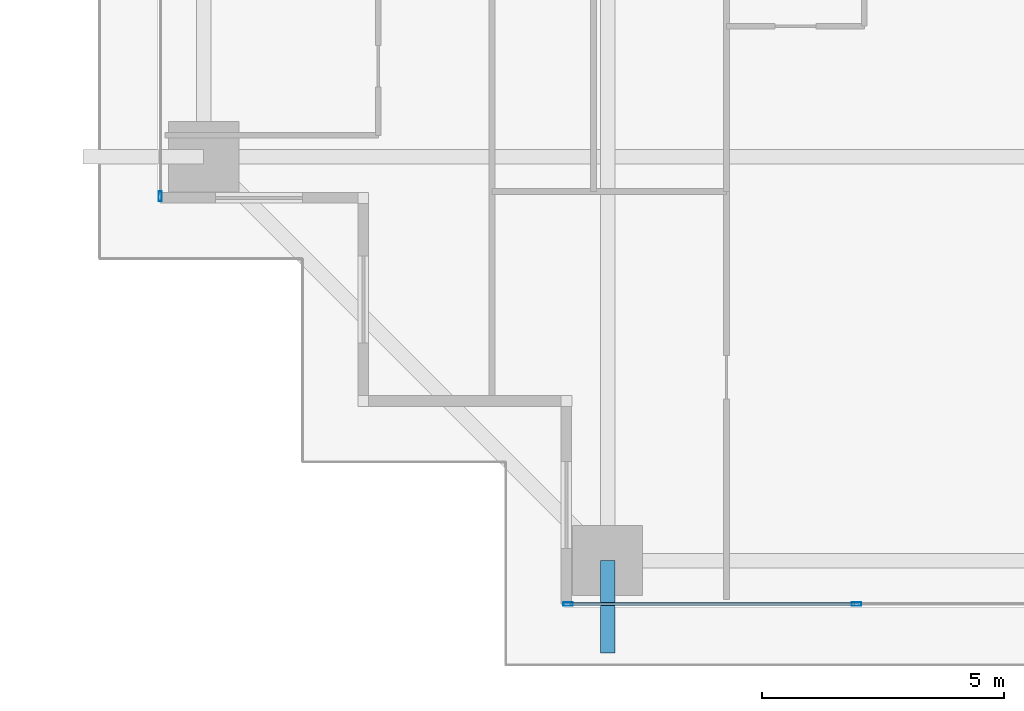
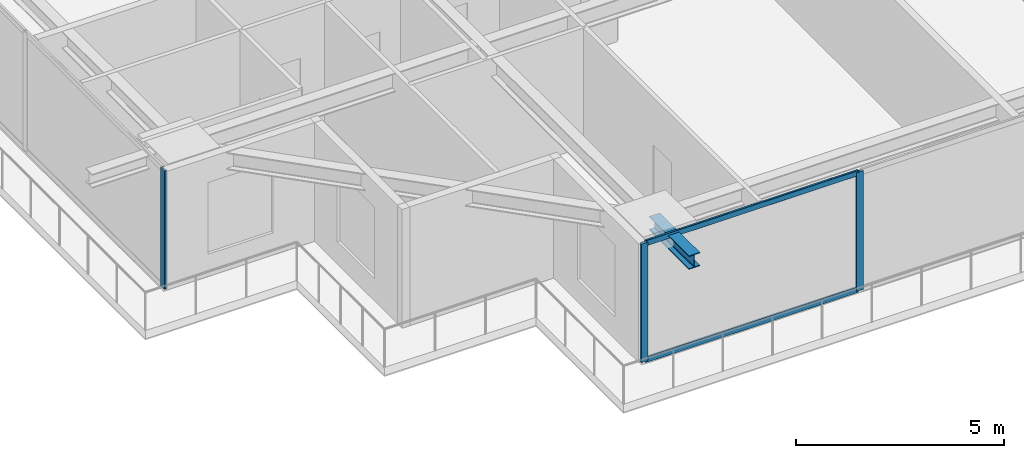
# One storey, part 2 of 38: 5 members, 1 beam, 2 elements without a shape of their own.
"""IFC4 building model written with IfcOpenShell, lengths in metres."""

from ifc_helpers import new_model, si_unit, direction, frame, origin, origin_2d, place, context, subcontext, project, spatial, hollow_rectangle, i_section, extrude, source, transform, mapped, material, layer, layer_set, material_profile, profile_set, type_object, element, aggregate, save


model = new_model("IFC4")

# Units and contexts
model_context = context("Model", 3, precision=1e-05, world=origin(), true_north=direction((0.0, 1.0)))
body_context = subcontext(model_context, "Body", "Model", "MODEL_VIEW")
ifc_project = project(units=[si_unit("LENGTHUNIT", "METRE"), si_unit("AREAUNIT", "SQUARE_METRE"), si_unit("VOLUMEUNIT", "CUBIC_METRE"), si_unit("PLANEANGLEUNIT", "RADIAN"), si_unit("MASSUNIT", "GRAM", prefix="KILO")], contexts=[model_context])

# Site, building, storey
site_placement = place(None, origin())
site = spatial("IfcSite", under=ifc_project, at=site_placement, CompositionType="ELEMENT")
building_placement = place(site_placement, origin())
building = spatial("IfcBuilding", under=site, at=building_placement, Name="Serunith Strait Residences", CompositionType="ELEMENT")
storey_placement = place(building_placement, frame((0.0, 0.0, 67.949951171875)))
storey = spatial("IfcBuildingStorey", under=building, at=storey_placement, Name="L16", CompositionType="ELEMENT", Elevation=67.949951171875)

# Beam
ifc_material_1 = material(Name="Steel S355J2", Category="steel")
ifc_material_profile_1 = material_profile(ifc_material_1, i_section(OverallWidth=0.300048828125, OverallDepth=0.39990234375, WebThickness=0.013427734375, FlangeThickness=0.02392578125, FilletRadius=0.027099609375, at=origin_2d()), Name="HEB 400")
ifc_profile_set_1 = profile_set([ifc_material_profile_1], Name="Steel S355J2")
beam_type = type_object("IfcBeamType", Name="BM-HEB400", PredefinedType="BEAM", material=ifc_profile_set_1)
shared_shape_1 = source(origin(), body_context, "Body", "SweptSolid", [
    extrude(i_section(OverallWidth=0.300048828125, OverallDepth=0.39990234375, WebThickness=0.013427734375, FlangeThickness=0.02392578125, FilletRadius=0.027099609375, at=origin_2d()), origin(), (0.0, 0.0, 1.0), 1.91015625),
])
beam_placement = place(storey_placement, frame((15.25, 1.10009765625, 3.257080078125), z_axis=(0.0, -1.0, 0.0), x_axis=(1.0, 0.0, 0.0)))
element("IfcBeam", 1, at=beam_placement, inside=storey, type_object=beam_type, Name="L17 Cantilevered Balcony Rib TC-S1", PredefinedType="BEAM", context=body_context, shape_type="MappedRepresentation", body=[
    mapped(shared_shape_1, transform((0.0, 0.0, 0.0), scale=1.0)),
])

# Curtain wall, members
ifc_material_2 = material(Name="Pale-Champagne Anodised Aluminium", Category="aluminium")
ifc_layer = layer(ifc_material_2, 0.199951171875, Name="Pale-Champagne Anodised Aluminium")
ifc_layer_set = layer_set([ifc_layer], Name="Pale-Champagne Anodised Aluminium")
curtain_wall_type = type_object("IfcCurtainWallType", Name="CW-SYS1", PredefinedType="NOTDEFINED", material=ifc_layer_set)
curtain_wall_1_placement = place(storey_placement, origin())
curtain_wall_1 = element("IfcCurtainWall", 2, at=curtain_wall_1_placement, inside=storey, type_object=curtain_wall_type, Name="L16 S Unitised Fritted Curtain Wall", PredefinedType="NOTDEFINED")
ifc_material_profile_2 = material_profile(ifc_material_2, hollow_rectangle(XDim=0.070068359375, YDim=0.199951171875, WallThickness=0.00390625, InnerFilletRadius=0.006103515625, OuterFilletRadius=0.010009765625, at=origin_2d()), Name="ALU 200x70x4")
ifc_profile_set_2 = profile_set([ifc_material_profile_2], Name="Pale-Champagne Anodised Aluminium")
member_type_1 = type_object("IfcMemberType", Name="CW-SYS1-MULL", PredefinedType="MULLION", material=ifc_profile_set_2)
shared_shape_2 = source(origin(), body_context, "Body", "SweptSolid", [
    extrude(hollow_rectangle(XDim=0.070068359375, YDim=0.199951171875, WallThickness=0.00390625, InnerFilletRadius=0.006103515625, OuterFilletRadius=0.010009765625, at=origin_2d()), origin(), (0.0, 0.0, 1.0), 3.47509765625),
])
member_1_placement = place(storey_placement, frame((14.43505859375, 0.199951171875, 0.0), z_axis=(0.0, 0.0, 1.0), x_axis=(0.0, 1.0, 0.0)))
member_1 = element("IfcMember", 3, at=member_1_placement, type_object=member_type_1, Name="CW-1 mullion 1", PredefinedType="MULLION", context=body_context, shape_type="MappedRepresentation", body=[
    mapped(shared_shape_2, transform((0.0, 0.0, 0.0), scale=1.0)),
])
member_2_placement = place(storey_placement, frame((20.39990234375, 0.199951171875, 0.0), z_axis=(0.0, 0.0, 1.0), x_axis=(0.0, 1.0, 0.0)))
member_2 = element("IfcMember", 4, at=member_2_placement, type_object=member_type_1, Name="CW-1 mullion 2", PredefinedType="MULLION", context=body_context, shape_type="MappedRepresentation", body=[
    mapped(shared_shape_2, transform((0.0, 0.0, 0.0), scale=1.0)),
])

# Curtain wall, member
curtain_wall_2_placement = place(storey_placement, origin())
curtain_wall_2 = element("IfcCurtainWall", 5, at=curtain_wall_2_placement, inside=storey, type_object=curtain_wall_type, Name="L16 W Unitised Fritted Curtain Wall", PredefinedType="NOTDEFINED")
member_3_placement = place(storey_placement, frame((6.0, 8.635009765625, 0.0), z_axis=(0.0, 0.0, 1.0), x_axis=(1.0, 0.0, 0.0)))
member_3 = element("IfcMember", 6, at=member_3_placement, type_object=member_type_1, Name="CW-1 mullion 6", PredefinedType="MULLION", context=body_context, shape_type="MappedRepresentation", body=[
    mapped(shared_shape_2, transform((0.0, 0.0, 0.0), scale=1.0)),
])
aggregate(curtain_wall_2, [member_3])

# Member
ifc_material_profile_3 = material_profile(ifc_material_2, hollow_rectangle(XDim=0.06005859375, YDim=0.159912109375, WallThickness=0.00341796875, InnerFilletRadius=0.00537109375, OuterFilletRadius=0.0087890625, at=origin_2d()), Name="ALU 160x60x3.5")
ifc_profile_set_3 = profile_set([ifc_material_profile_3], Name="Pale-Champagne Anodised Aluminium")
member_type_2 = type_object("IfcMemberType", Name="CW-SYS1-TRAN", PredefinedType="USERDEFINED", material=ifc_profile_set_3)
shared_shape_3 = source(origin(), body_context, "Body", "SweptSolid", [
    extrude(hollow_rectangle(XDim=0.06005859375, YDim=0.159912109375, WallThickness=0.00341796875, InnerFilletRadius=0.00537109375, OuterFilletRadius=0.0087890625, at=origin_2d()), origin(), (0.0, 0.0, 1.0), 5.89501953125),
])
member_4_placement = place(storey_placement, frame((14.469970703125, 0.199951171875, 0.030029296875), z_axis=(1.0, 0.0, 0.0), x_axis=(0.0, 1.0, 0.0)))
member_4 = element("IfcMember", 7, at=member_4_placement, type_object=member_type_2, Name="CW-1 transom 1.1", ObjectType="TRANSOM", PredefinedType="USERDEFINED", context=body_context, shape_type="MappedRepresentation", body=[
    mapped(shared_shape_3, transform((0.0, 0.0, 0.0), scale=1.0)),
])

member_5_placement = place(storey_placement, frame((14.469970703125, 0.199951171875, 3.445068359375), z_axis=(1.0, 0.0, 0.0), x_axis=(0.0, 1.0, 0.0)))
member_5 = element("IfcMember", 8, at=member_5_placement, type_object=member_type_2, Name="CW-1 transom 1.2", ObjectType="TRANSOM", PredefinedType="USERDEFINED", context=body_context, shape_type="MappedRepresentation", body=[
    mapped(shared_shape_3, transform((0.0, 0.0, 0.0), scale=1.0)),
])

aggregate(curtain_wall_1, [member_1, member_2, member_4, member_5])

save(model, "model.ifc")
